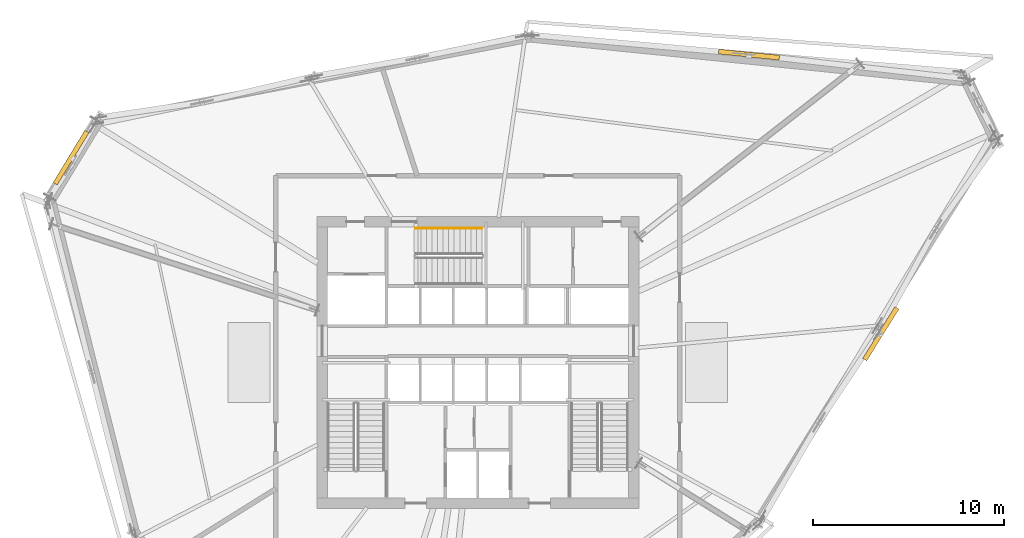
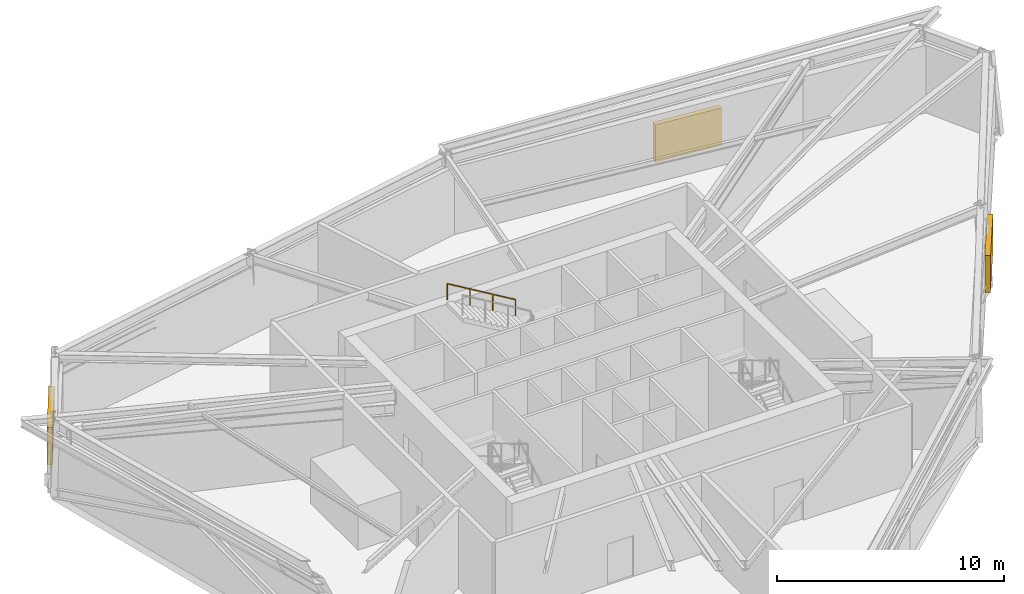
# One storey, part 13 of 14: 3 shading devices, 1 railing.
"""IFC4 building model written with IfcOpenShell, lengths in metres."""

from ifc_helpers import new_model, si_unit, direction, frame, origin, origin_2d, place, context, subcontext, project, spatial, rectangle, extrude, source, transform, mapped, material, type_object, element, save


model = new_model("IFC4")

# Units and contexts
model_context = context("Model", 3, precision=1e-05, world=origin(), true_north=direction((0.0, 1.0)))
body_context = subcontext(model_context, "Body", "Model", "MODEL_VIEW")
ifc_project = project(units=[si_unit("LENGTHUNIT", "METRE"), si_unit("AREAUNIT", "SQUARE_METRE"), si_unit("VOLUMEUNIT", "CUBIC_METRE"), si_unit("PLANEANGLEUNIT", "RADIAN"), si_unit("MASSUNIT", "GRAM", prefix="KILO")], contexts=[model_context])

# Site, building, storey
site_placement = place(None, origin())
site = spatial("IfcSite", under=ifc_project, at=site_placement, CompositionType="ELEMENT")
building_placement = place(site_placement, origin())
building = spatial("IfcBuilding", under=site, at=building_placement, Name="Olszyna Solenne Hotel", CompositionType="ELEMENT")
storey_placement = place(building_placement, frame((0.0, 0.0, 142.10009765625)))
storey = spatial("IfcBuildingStorey", under=building, at=storey_placement, Name="L37", CompositionType="ELEMENT", Elevation=142.10009765625)

# Railing
ifc_material_1 = material(Name="Steel S355J2", Category="steel")
railing_type = type_object("IfcRailingType", Name="HR-090", PredefinedType="HANDRAIL", material=ifc_material_1)
railing_placement = place(storey_placement, frame((38.2099609375, 33.64990234375, 2.423095703125)))
element("IfcRailing", 1, at=railing_placement, inside=storey, type_object=railing_type, Name="L37 ST3 stair handrail 2", PredefinedType="HANDRAIL", context=body_context, shape_type="SweptSolid", body=[
    extrude(rectangle(XDim=0.048095703125, YDim=0.048095703125, at=origin_2d()), frame((0.0, 0.0, 0.8759765625), z_axis=(-0.858697190188, 0.0, 0.512483302717), x_axis=(0.0, -1.0, 0.0)), (0.0, 0.0, 1.0), 4.052734375),
    extrude(rectangle(XDim=0.0419921875, YDim=0.0419921875, at=origin_2d()), origin(), (0.0, 0.0, 1.0), 0.851806640625),
    extrude(rectangle(XDim=0.0419921875, YDim=0.0419921875, at=origin_2d()), frame((-1.159912109375, 0.0, 0.6923828125)), (0.0, 0.0, 1.0), 0.851806640625),
    extrude(rectangle(XDim=0.0419921875, YDim=0.0419921875, at=origin_2d()), frame((-2.320068359375, 0.0, 1.384521484375)), (0.0, 0.0, 1.0), 0.851806640625),
    extrude(rectangle(XDim=0.0419921875, YDim=0.0419921875, at=origin_2d()), frame((-3.47998046875, 0.0, 2.076904296875)), (0.0, 0.0, 1.0), 0.851806640625),
])

# Shading devices
ifc_material_2 = material(Name="Terracotta cladding", Category="masonry")
shading_device_type = type_object("IfcShadingDeviceType", Name="SH-LV1", PredefinedType="JALOUSIE", material=ifc_material_2)
shared_shape = source(origin(), body_context, "Body", "SweptSolid", [
    extrude(rectangle(XDim=3.199951171875, YDim=0.25, at=origin_2d()), origin(), (0.0, 0.0, 1.0), 2.0),
])
for number, where, z_axis, x_axis, name in (
    (2, (16.659423828125, 37.348388671875, 0.82080078125), (0.0, 0.0, 1.0), (0.51951911188, 0.854458830133, 0.0), "Terracotta acoustic plant louvre bank LV-L37-05"),
    (3, (52.22216796875, 42.751220703125, 0.82080078125), (0.0, 0.0, 1.0), (0.994951016981, -0.100361714851, 0.0), "Terracotta acoustic plant louvre bank LV-L37-07"),
    (4, (59.1396484375, 28.109619140625, 0.82080078125), (0.0, 0.0, 1.0), (-0.529030899945, -0.848602561216, 0.0), "Terracotta acoustic plant louvre bank LV-L37-09"),
):
    element("IfcShadingDevice", number, at=place(storey_placement, frame(where, z_axis=z_axis, x_axis=x_axis)), inside=storey, type_object=shading_device_type, Name=name, PredefinedType="JALOUSIE", context=body_context, shape_type="MappedRepresentation", body=[
        mapped(shared_shape, transform((0.0, 0.0, 0.0), x_axis=(1.0, 0.0, 0.0), y_axis=(0.0, 1.0, 0.0), z_axis=(0.0, 0.0, 1.0), scale=1.0)),
    ])

save(model, "model.ifc")
